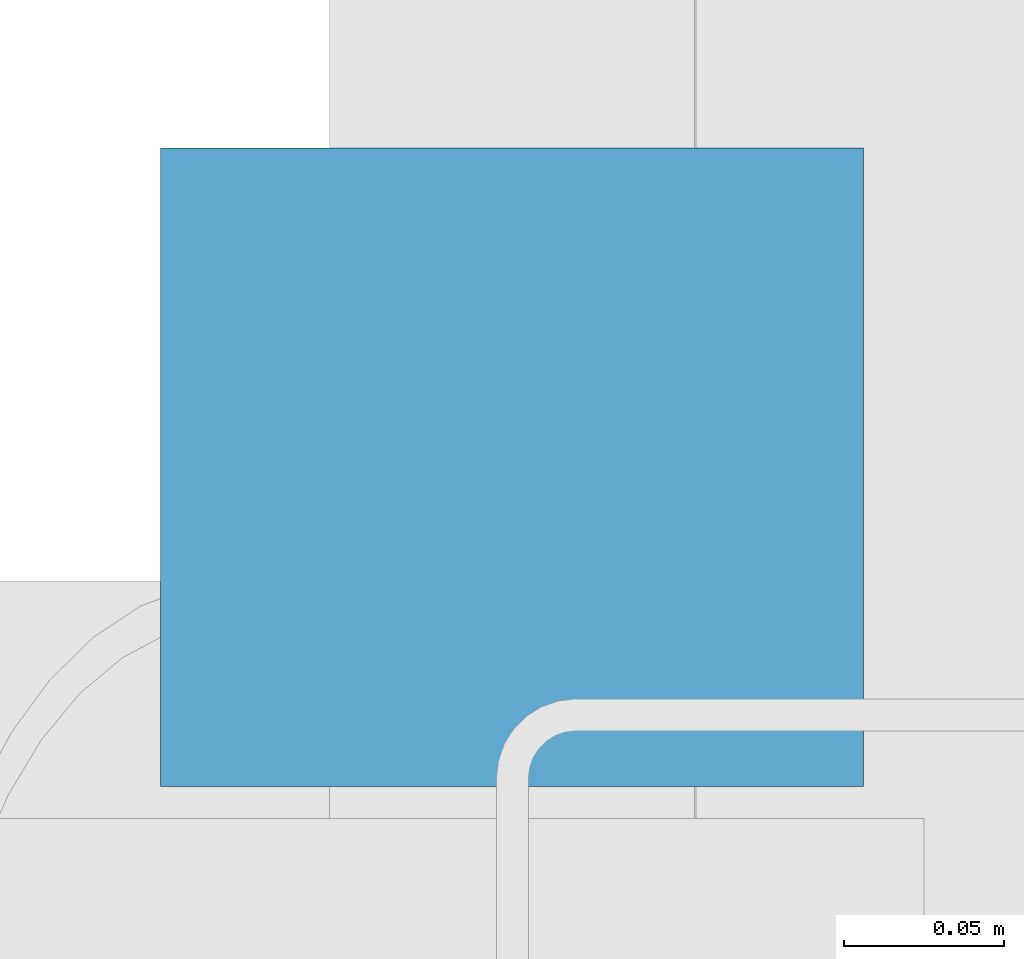
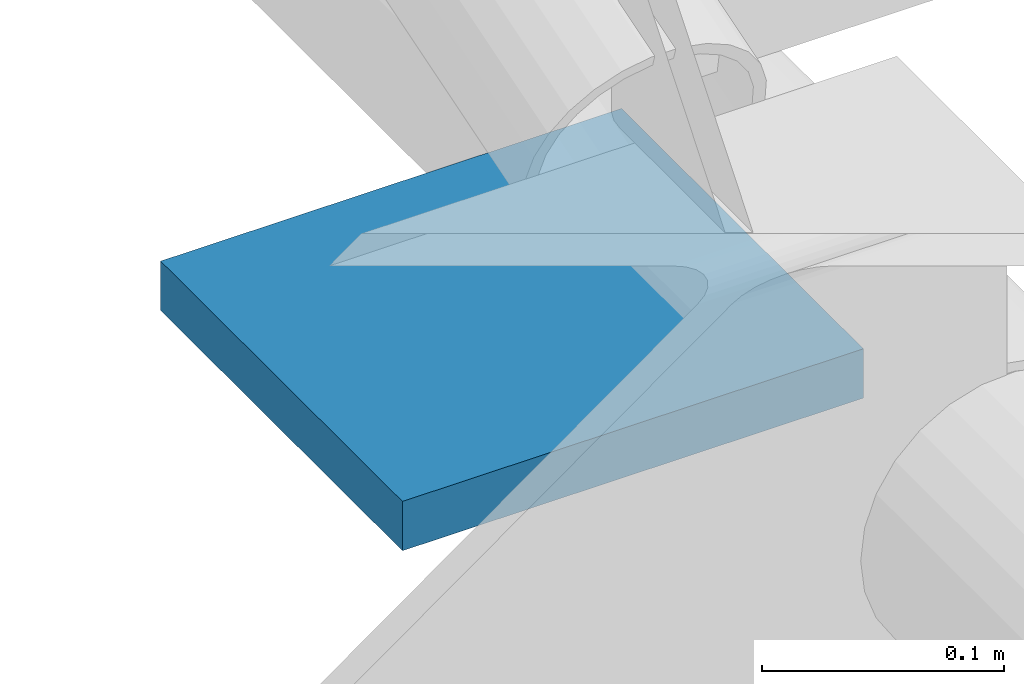
# One storey, part 151 of 156: 1 discrete accessory.
"""IFC4 building model written with IfcOpenShell, lengths in metres."""

from ifc_helpers import new_model, si_unit, direction, frame, origin, origin_2d, place, context, subcontext, project, spatial, rectangle, extrude, material, layer, layer_set, type_object, element, save


model = new_model("IFC4")

# Units and contexts
model_context = context("Model", 3, precision=1e-05, world=origin(), true_north=direction((0.0, 1.0)))
body_context = subcontext(model_context, "Body", "Model", "MODEL_VIEW")
ifc_project = project(units=[si_unit("LENGTHUNIT", "METRE"), si_unit("AREAUNIT", "SQUARE_METRE"), si_unit("VOLUMEUNIT", "CUBIC_METRE"), si_unit("PLANEANGLEUNIT", "RADIAN"), si_unit("MASSUNIT", "GRAM", prefix="KILO")], contexts=[model_context])

# Site, building, storey
site_placement = place(None, origin())
site = spatial("IfcSite", under=ifc_project, at=site_placement, CompositionType="ELEMENT")
building_placement = place(site_placement, origin())
building = spatial("IfcBuilding", under=site, at=building_placement, Name="Lilac Gate Convention Centre", CompositionType="ELEMENT")
storey_placement = place(building_placement, frame((0.0, 0.0, 17.0)))
storey = spatial("IfcBuildingStorey", under=building, at=storey_placement, Name="L03", CompositionType="ELEMENT", Elevation=17.0)

# Discrete accessory
ifc_material = material(Name="Steel Q355B", Category="steel")
ifc_layer = layer(ifc_material, 0.02490234375)
ifc_layer_set = layer_set([ifc_layer], Name="Steel Q355B")
discrete_accessory_type = type_object("IfcDiscreteAccessoryType", Name="Cast-in plate 25 Q355B", PredefinedType="ANCHORPLATE", material=ifc_layer_set)
discrete_accessory_placement = place(storey_placement, frame((89.8798828125, 102.197509765625, 0.0), z_axis=(0.0, 0.0, 1.0), x_axis=(0.0, 1.0, 0.0)))
element("IfcDiscreteAccessory", 1, at=discrete_accessory_placement, inside=storey, type_object=discrete_accessory_type, Name="CP1 cast-in plate at BR2 vertical bracing bay 7 line 3", PredefinedType="ANCHORPLATE", context=body_context, shape_type="SweptSolid", body=[
    extrude(rectangle(XDim=0.199951171875, YDim=0.219970703125, at=origin_2d()), origin(), (0.0, 0.0, 1.0), 0.02490234375),
])

save(model, "model.ifc")
